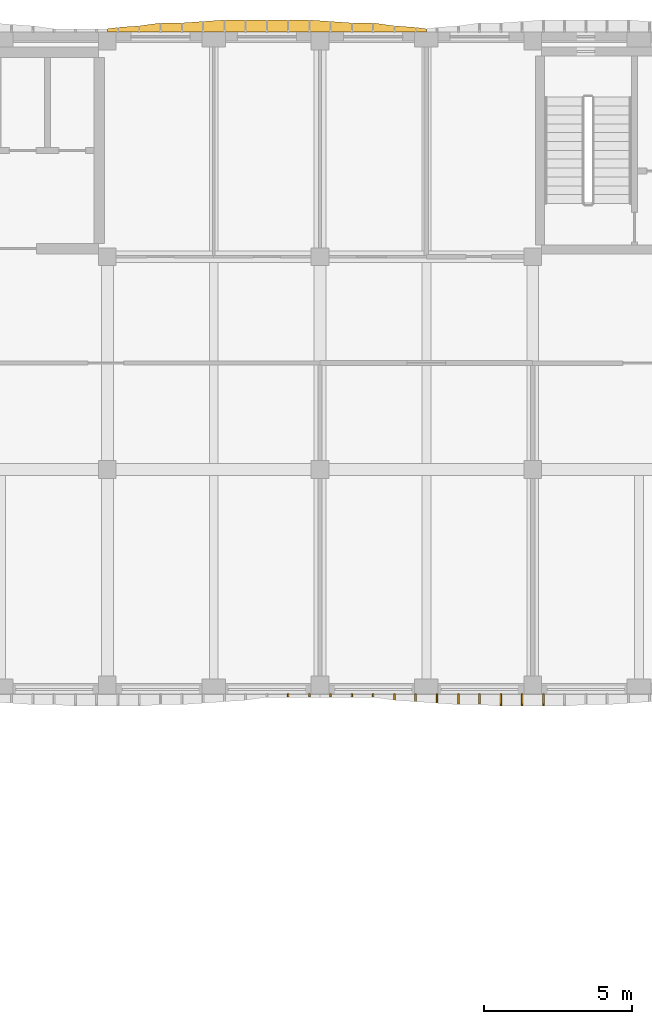
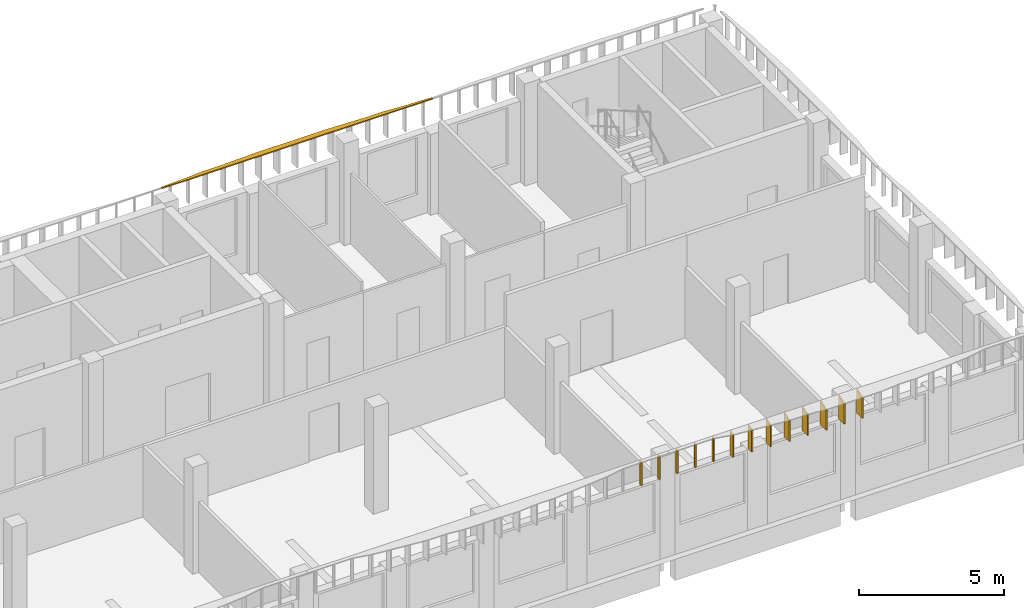
# One storey, part 32 of 38: 14 shading devices.
"""IFC4 building model written with IfcOpenShell, lengths in metres."""

from ifc_helpers import new_model, si_unit, direction, frame, origin, place, context, subcontext, project, spatial, polyline, outline, extrude, material, layer, layer_set, type_object, element, save


model = new_model("IFC4")

# Units and contexts
model_context = context("Model", 3, precision=1e-05, world=origin(), true_north=direction((0.0, 1.0)))
body_context = subcontext(model_context, "Body", "Model", "MODEL_VIEW")
ifc_project = project(units=[si_unit("LENGTHUNIT", "METRE"), si_unit("AREAUNIT", "SQUARE_METRE"), si_unit("VOLUMEUNIT", "CUBIC_METRE"), si_unit("PLANEANGLEUNIT", "RADIAN"), si_unit("MASSUNIT", "GRAM", prefix="KILO")], contexts=[model_context])

# Site, building, storey
site_placement = place(None, origin())
site = spatial("IfcSite", under=ifc_project, at=site_placement, CompositionType="ELEMENT")
building_placement = place(site_placement, origin())
building = spatial("IfcBuilding", under=site, at=building_placement, Name="Ussher Court Research Institute", CompositionType="ELEMENT")
storey_placement = place(building_placement, frame((0.0, 0.0, 23.39990234375)))
storey = spatial("IfcBuildingStorey", under=building, at=storey_placement, Name="L05", CompositionType="ELEMENT", Elevation=23.39990234375)

# Shading devices
ifc_material_1 = material(Name="Bronze anodised aluminium", Category="aluminium")
ifc_layer_1 = layer(ifc_material_1, 0.050048828125)
ifc_layer_set_1 = layer_set([ifc_layer_1], Name="Bronze anodised aluminium")
shading_device_type_1 = type_object("IfcShadingDeviceType", Name="Brim blade 100 mm deep 1000 mm high canted 20 deg dry", PredefinedType="USERDEFINED", material=ifc_layer_set_1)
for number, where, z_axis, x_axis, name in (
    (1, (69.60009765625, 68.39990234375, 3.4501953125), (0.0, 0.0, 1.0), (0.0, -1.0, 0.0), "Brim blade BS17 L05"),
    (2, (68.8798828125, 68.39990234375, 3.4501953125), (0.0, 0.0, 1.0), (0.0, -1.0, 0.0), "Brim blade BS17 L05"),
    (3, (68.159912109375, 68.39990234375, 3.4501953125), (0.0, 0.0, 1.0), (0.0, -1.0, 0.0), "Brim blade BS17 L05"),
    (4, (67.43994140625, 68.39990234375, 3.4501953125), (0.0, 0.0, 1.0), (0.0, -1.0, 0.0), "Brim blade BS17 L05"),
    (5, (66.719970703125, 68.39990234375, 3.4501953125), (0.0, 0.0, 1.0), (0.0, -1.0, 0.0), "Brim blade BS17 L05"),
):
    element("IfcShadingDevice", number, at=place(storey_placement, frame(where, z_axis=z_axis, x_axis=x_axis)), inside=storey, type_object=shading_device_type_1, Name=name, ObjectType="BLADE", PredefinedType="USERDEFINED", context=body_context, shape_type="SweptSolid", body=[
        extrude(outline(polyline([(0.0, 0.0), (0.099853515625, 0.0), (0.10009765625, 0.963623046875), (0.0, 1.0), (0.0, 0.0)])), frame((0.0, 0.02490234375, 0.0), z_axis=(0.0, -1.0, 0.0), x_axis=(1.0, 0.0, 0.0)), (0.0, 0.0, 1.0), 0.050048828125),
    ])
ifc_material_2 = material(Name="Bronze anodised aluminium", Category="aluminium")
ifc_layer_2 = layer(ifc_material_2, 0.050048828125)
ifc_layer_set_2 = layer_set([ifc_layer_2], Name="Bronze anodised aluminium")
shading_device_type_2 = type_object("IfcShadingDeviceType", Name="Brim blade 200 mm deep 1000 mm high canted 20 deg dry", PredefinedType="USERDEFINED", material=ifc_layer_set_2)
shading_device_1_placement = place(storey_placement, frame((70.320068359375, 68.39990234375, 3.4501953125), z_axis=(0.0, 0.0, 1.0), x_axis=(0.0, -1.0, 0.0)))
element("IfcShadingDevice", 6, at=shading_device_1_placement, inside=storey, type_object=shading_device_type_2, Name="Brim blade BS15 L05", ObjectType="BLADE", PredefinedType="USERDEFINED", context=body_context, shape_type="SweptSolid", body=[
    extrude(outline(polyline([(0.0, 0.0), (0.199951171875, 0.0), (0.199951171875, 0.927001953125), (0.0, 1.0), (0.0, 0.0)])), frame((0.0, 0.02490234375, 0.0), z_axis=(0.0, -1.0, 0.0), x_axis=(1.0, 0.0, 0.0)), (0.0, 0.0, 1.0), 0.050048828125),
])
ifc_material_3 = material(Name="Bronze anodised aluminium", Category="aluminium")
ifc_layer_3 = layer(ifc_material_3, 0.050048828125)
ifc_layer_set_3 = layer_set([ifc_layer_3], Name="Bronze anodised aluminium")
shading_device_type_3 = type_object("IfcShadingDeviceType", Name="Brim blade 250 mm deep 1000 mm high canted 20 deg dry", PredefinedType="USERDEFINED", material=ifc_layer_set_3)
shading_device_2_placement = place(storey_placement, frame((71.0400390625, 68.39990234375, 3.4501953125), z_axis=(0.0, 0.0, 1.0), x_axis=(0.0, -1.0, 0.0)))
element("IfcShadingDevice", 7, at=shading_device_2_placement, inside=storey, type_object=shading_device_type_3, Name="Brim blade BS14 L05", ObjectType="BLADE", PredefinedType="USERDEFINED", context=body_context, shape_type="SweptSolid", body=[
    extrude(outline(polyline([(0.0, 0.0), (0.25, 0.0), (0.25, 0.908935546875), (0.0, 1.0), (0.0, 0.0)])), frame((0.0, 0.02490234375, 0.0), z_axis=(0.0, -1.0, 0.0), x_axis=(1.0, 0.0, 0.0)), (0.0, 0.0, 1.0), 0.050048828125),
])
ifc_material_4 = material(Name="Bronze anodised aluminium", Category="aluminium")
ifc_layer_4 = layer(ifc_material_4, 0.050048828125)
ifc_layer_set_4 = layer_set([ifc_layer_4], Name="Bronze anodised aluminium")
shading_device_type_4 = type_object("IfcShadingDeviceType", Name="Brim blade 300 mm deep 1000 mm high canted 20 deg dry", PredefinedType="USERDEFINED", material=ifc_layer_set_4)
shading_device_3_placement = place(storey_placement, frame((71.760009765625, 68.39990234375, 3.4501953125), z_axis=(0.0, 0.0, 1.0), x_axis=(0.0, -1.0, 0.0)))
element("IfcShadingDevice", 8, at=shading_device_3_placement, inside=storey, type_object=shading_device_type_4, Name="Brim blade BS13 L05", ObjectType="BLADE", PredefinedType="USERDEFINED", context=body_context, shape_type="SweptSolid", body=[
    extrude(outline(polyline([(0.0, 0.0), (0.2998046875, 0.0), (0.300048828125, 0.890625), (0.0, 1.0), (0.0, 0.0)])), frame((0.0, 0.02490234375, 0.0), z_axis=(0.0, -1.0, 0.0), x_axis=(1.0, 0.0, 0.0)), (0.0, 0.0, 1.0), 0.050048828125),
])
ifc_material_5 = material(Name="Bronze anodised aluminium", Category="aluminium")
ifc_layer_5 = layer(ifc_material_5, 0.050048828125)
ifc_layer_set_5 = layer_set([ifc_layer_5], Name="Bronze anodised aluminium")
shading_device_type_5 = type_object("IfcShadingDeviceType", Name="Brim blade 350 mm deep 1000 mm high canted 20 deg dry", PredefinedType="USERDEFINED", material=ifc_layer_set_5)
for number, where, z_axis, x_axis, name in (
    (9, (73.199951171875, 68.39990234375, 3.4501953125), (0.0, 0.0, 1.0), (0.0, -1.0, 0.0), "Brim blade BS12 L05"),
    (10, (72.47998046875, 68.39990234375, 3.4501953125), (0.0, 0.0, 1.0), (0.0, -1.0, 0.0), "Brim blade BS12 L05"),
):
    element("IfcShadingDevice", number, at=place(storey_placement, frame(where, z_axis=z_axis, x_axis=x_axis)), inside=storey, type_object=shading_device_type_5, Name=name, ObjectType="BLADE", PredefinedType="USERDEFINED", context=body_context, shape_type="SweptSolid", body=[
        extrude(outline(polyline([(0.0, 0.0), (0.349853515625, 0.0), (0.35009765625, 0.87255859375), (0.0, 1.0), (0.0, 0.0)])), frame((0.0, 0.02490234375, 0.0), z_axis=(0.0, -1.0, 0.0), x_axis=(1.0, 0.0, 0.0)), (0.0, 0.0, 1.0), 0.050048828125),
    ])
ifc_material_6 = material(Name="Bronze anodised aluminium", Category="aluminium")
ifc_layer_6 = layer(ifc_material_6, 0.050048828125)
ifc_layer_set_6 = layer_set([ifc_layer_6], Name="Bronze anodised aluminium")
shading_device_type_6 = type_object("IfcShadingDeviceType", Name="Brim blade 400 mm deep 1000 mm high canted 20 deg dry", PredefinedType="USERDEFINED", material=ifc_layer_set_6)
for number, where, z_axis, x_axis, name in (
    (11, (75.360107421875, 68.39990234375, 3.4501953125), (0.0, 0.0, 1.0), (0.0, -1.0, 0.0), "Brim blade BS11 L05"),
    (12, (74.639892578125, 68.39990234375, 3.4501953125), (0.0, 0.0, 1.0), (0.0, -1.0, 0.0), "Brim blade BS11 L05"),
    (13, (73.919921875, 68.39990234375, 3.4501953125), (0.0, 0.0, 1.0), (0.0, -1.0, 0.0), "Brim blade BS11 L05"),
):
    element("IfcShadingDevice", number, at=place(storey_placement, frame(where, z_axis=z_axis, x_axis=x_axis)), inside=storey, type_object=shading_device_type_6, Name=name, ObjectType="BLADE", PredefinedType="USERDEFINED", context=body_context, shape_type="SweptSolid", body=[
        extrude(outline(polyline([(0.0, 0.0), (0.39990234375, 0.0), (0.39990234375, 0.854248046875), (0.0, 1.0), (0.0, 0.0)])), frame((0.0, 0.02490234375, 0.0), z_axis=(0.0, -1.0, 0.0), x_axis=(1.0, 0.0, 0.0)), (0.0, 0.0, 1.0), 0.050048828125),
    ])
ifc_material_7 = material(Name="Bronze anodised aluminium", Category="aluminium")
ifc_layer_7 = layer(ifc_material_7, 0.0400390625)
ifc_layer_set_7 = layer_set([ifc_layer_7], Name="Bronze anodised aluminium")
shading_device_type_7 = type_object("IfcShadingDeviceType", Name="Brim visor sheet 40 mm canted 20 deg dry", PredefinedType="USERDEFINED", material=ifc_layer_set_7)
shading_device_4_placement = place(storey_placement, frame((60.60009765625, 90.813720703125, 4.48779296875), z_axis=(0.0, 0.342437443403, 0.93954063103), x_axis=(1.0, 0.0, 0.0)))
element("IfcShadingDevice", 14, at=shading_device_4_placement, inside=storey, type_object=shading_device_type_7, Name="Brim visor sheet BR2 L05", ObjectType="BRIM", PredefinedType="USERDEFINED", context=body_context, shape_type="SweptSolid", body=[
    extrude(outline(polyline([(0.0, 0.0), (10.7998046875, 0.0), (10.7998046875, 0.10650264594463102), (10.43994140625, 0.15956639032580203), (9.719970703125, 0.21285951474384548), (9.0, 0.3193621606884765), (8.27978515625, 0.3193621606884765), (7.559814453125, 0.37257168221506404), (6.83984375, 0.42563542659623504), (6.119873046875, 0.42563542659623504), (5.39990234375, 0.42563542659623504), (4.679931640625, 0.42563542659623504), (3.9599609375, 0.42563542659623504), (3.239990234375, 0.37257168221506404), (2.52001953125, 0.3193621606884765), (1.7998046875, 0.3193621606884765), (1.079833984375, 0.21285951474384548), (0.35986328125, 0.15956639032580203), (0.0, 0.10650264594463102), (0.0, 0.0)])), origin(), (0.0, 0.0, -1.0), 0.0400390625),
])

save(model, "model.ifc")
